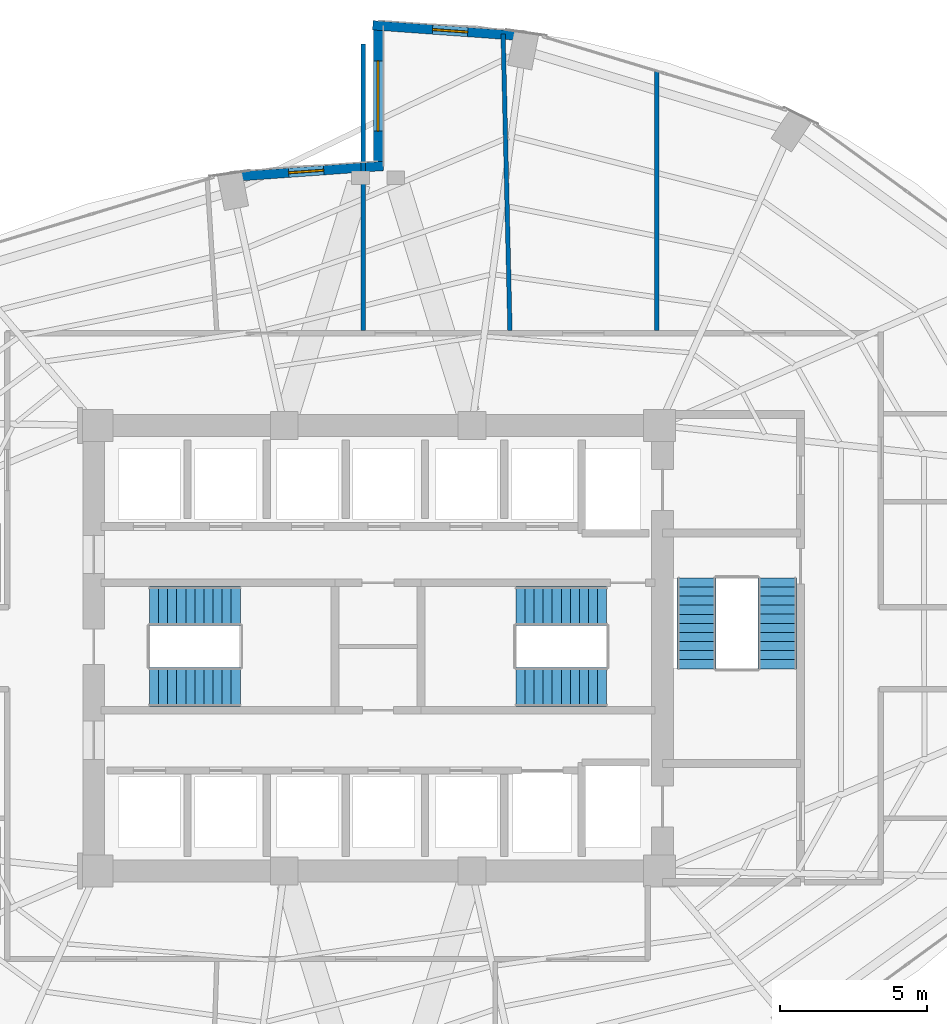
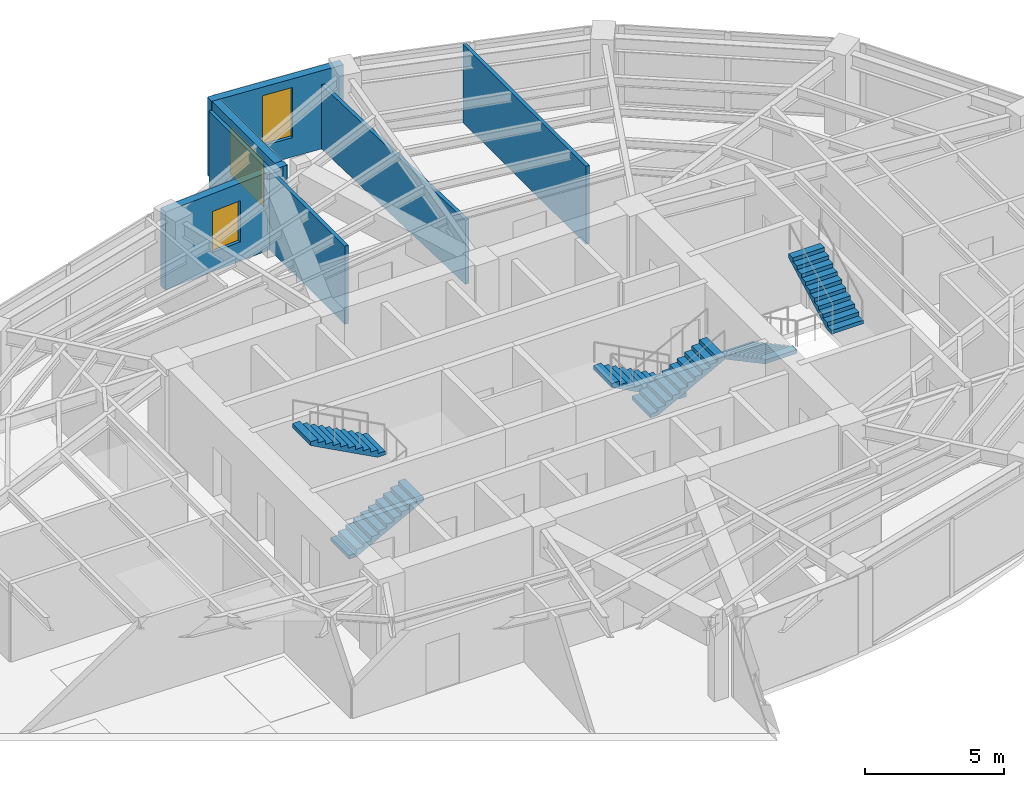
# One storey, part 21 of 23: 6 stair flights, 6 walls, 3 windows, 3 openings, 3 elements without a shape of their own.
"""IFC4 building model written with IfcOpenShell, lengths in metres."""

from ifc_helpers import new_model, si_unit, direction, frame, frame_2d, origin, place, context, subcontext, project, spatial, polyline, rectangle, outline, extrude, material, layer, layer_set, type_object, element, fill, aggregate, save


model = new_model("IFC4")

# Units and contexts
model_context = context("Model", 3, precision=1e-05, world=origin(), true_north=direction((0.0, 1.0)))
body_context = subcontext(model_context, "Body", "Model", "MODEL_VIEW")
ifc_project = project(units=[si_unit("LENGTHUNIT", "METRE"), si_unit("AREAUNIT", "SQUARE_METRE"), si_unit("VOLUMEUNIT", "CUBIC_METRE"), si_unit("PLANEANGLEUNIT", "RADIAN"), si_unit("MASSUNIT", "GRAM", prefix="KILO")], contexts=[model_context])

# Site, building, storey
site_placement = place(None, origin())
site = spatial("IfcSite", under=ifc_project, at=site_placement, CompositionType="ELEMENT")
building_placement = place(site_placement, origin())
building = spatial("IfcBuilding", under=site, at=building_placement, Name="Lazwardi Medical Tower", CompositionType="ELEMENT")
storey_placement = place(building_placement, frame((0.0, 0.0, 107.280029296875)))
storey = spatial("IfcBuildingStorey", under=building, at=storey_placement, Name="L27", CompositionType="ELEMENT", Elevation=107.280029296875)

# Wall, opening, window
ifc_material_1 = material(Name="Precast concrete C45/55", Category="concrete")
ifc_layer_1 = layer(ifc_material_1, 0.320068359375)
ifc_layer_set_1 = layer_set([ifc_layer_1], Name="Precast concrete C45/55")
wall_type_1 = type_object("IfcWallType", Name="WL-IWAN-320", PredefinedType="SOLIDWALL", material=ifc_layer_set_1)
wall_1_placement = place(storey_placement, frame((41.091064453125, 48.87451171875, 0.0), z_axis=(0.0, 0.0, 1.0), x_axis=(-0.997432364291, 0.071614793619, 0.0)))
wall_1 = element("IfcWall", 1, at=wall_1_placement, inside=storey, type_object=wall_type_1, Name="L27 Iwan Portal Return Wall NE_ret", PredefinedType="SOLIDWALL", context=body_context, shape_type="SweptSolid", body=[
    extrude(rectangle(XDim=5.2841796875, YDim=0.320068359375, at=frame_2d((2.64208984375, 0.0))), origin(), (0.0, 0.0, 1.0), 3.427978515625),
])
opening_1_placement = place(wall_1_placement, frame((2.0419921875, 0.0, 0.85009765625)))
opening_1 = element("IfcOpeningElement", 2, at=opening_1_placement, cuts=wall_1, Name="Opening WN-01", PredefinedType="OPENING", context=body_context, shape_type="SweptSolid", body=[
    extrude(rectangle(XDim=1.199951171875, YDim=2.199951171875, at=frame_2d((0.60009765625, 1.10009765625))), frame((0.0, 0.169921875, 0.0), z_axis=(0.0, -1.0, 0.0), x_axis=(1.0, 0.0, 0.0)), (0.0, 0.0, 1.0), 0.340087890625),
])
ifc_material_2 = material(Name="Low-e bronze solar control double glazing", Category="glass")
window_type_1 = type_object("IfcWindowType", Name="WIN-IW-1200", PartitioningType="SINGLE_PANEL", PredefinedType="WINDOW", material=ifc_material_2)
window_1_placement = place(opening_1_placement, origin())
window_1 = element("IfcWindow", 3, at=window_1_placement, inside=storey, type_object=window_type_1, Name="L27 Iwan Slot Window NE_ret", OverallHeight=2.199951171875, OverallWidth=1.199951171875, PartitioningType="SINGLE_PANEL", PredefinedType="WINDOW", context=body_context, shape_type="SweptSolid", body=[
    extrude(rectangle(XDim=1.199951171875, YDim=2.199951171875, at=frame_2d((0.60009765625, 1.10009765625))), frame((0.0, 0.030029296875, 0.0), z_axis=(0.0, -1.0, 0.0), x_axis=(1.0, 0.0, 0.0)), (0.0, 0.0, 1.0), 0.06005859375),
])
fill(opening_1, window_1)

wall_2_placement = place(storey_placement, frame((36.178955078125, 44.452880859375, 0.0), z_axis=(0.0, 0.0, 1.0), x_axis=(-0.997431890304, -0.071621394884, 0.0)))
wall_2 = element("IfcWall", 4, at=wall_2_placement, inside=storey, type_object=wall_type_1, Name="L27 Iwan Portal Return Wall NW_ret", PredefinedType="SOLIDWALL", context=body_context, shape_type="SweptSolid", body=[
    extrude(rectangle(XDim=5.28369140625, YDim=0.320068359375, at=frame_2d((2.641845703125, 0.0))), origin(), (0.0, 0.0, 1.0), 3.427978515625),
])
opening_2_placement = place(wall_2_placement, frame((2.041748046875, 0.0, 0.85009765625)))
opening_2 = element("IfcOpeningElement", 5, at=opening_2_placement, cuts=wall_2, Name="Opening WN-04", PredefinedType="OPENING", context=body_context, shape_type="SweptSolid", body=[
    extrude(rectangle(XDim=1.199951171875, YDim=1.800048828125, at=frame_2d((0.60009765625, 0.89990234375))), frame((0.0, 0.169921875, 0.0), z_axis=(0.0, -1.0, 0.0), x_axis=(1.0, 0.0, 0.0)), (0.0, 0.0, 1.0), 0.340087890625),
])
window_type_2 = type_object("IfcWindowType", Name="WIN-DRUM-1200", PartitioningType="SINGLE_PANEL", PredefinedType="WINDOW", material=ifc_material_2)
window_2_placement = place(opening_2_placement, origin())
window_2 = element("IfcWindow", 6, at=window_2_placement, inside=storey, type_object=window_type_2, Name="L27 Iwan Slot Window NW_ret", OverallHeight=1.800048828125, OverallWidth=1.199951171875, PartitioningType="SINGLE_PANEL", PredefinedType="WINDOW", context=body_context, shape_type="SweptSolid", body=[
    extrude(rectangle(XDim=1.199951171875, YDim=1.800048828125, at=frame_2d((0.60009765625, 0.89990234375))), frame((0.0, 0.030029296875, 0.0), z_axis=(0.0, -1.0, 0.0), x_axis=(1.0, 0.0, 0.0)), (0.0, 0.0, 1.0), 0.06005859375),
])
fill(opening_2, window_2)

wall_3_placement = place(storey_placement, frame((36.0, 49.39990234375, 0.0), z_axis=(0.0, 0.0, 1.0), x_axis=(0.0, -1.0, 0.0)))
wall_3 = element("IfcWall", 7, at=wall_3_placement, inside=storey, type_object=wall_type_1, Name="L27 Turquoise Tilework Iwan Seam Wall N_seam", PredefinedType="SOLIDWALL", context=body_context, shape_type="SweptSolid", body=[
    extrude(rectangle(XDim=5.119873046875, YDim=0.320068359375, at=frame_2d((2.56005859375, 0.0))), origin(), (0.0, 0.0, 1.0), 3.427978515625),
])
opening_3_placement = place(wall_3_placement, frame((1.360107421875, 0.0, 0.840087890625)))
opening_3 = element("IfcOpeningElement", 8, at=opening_3_placement, cuts=wall_3, Name="Opening WN-02", PredefinedType="OPENING", context=body_context, shape_type="SweptSolid", body=[
    extrude(rectangle(XDim=2.39990234375, YDim=2.0400390625, at=frame_2d((1.199951171875, 1.02001953125))), frame((0.0, 0.169921875, 0.0), z_axis=(0.0, -1.0, 0.0), x_axis=(1.0, 0.0, 0.0)), (0.0, 0.0, 1.0), 0.340087890625),
])
window_type_3 = type_object("IfcWindowType", Name="WIN-IW-2400", PartitioningType="SINGLE_PANEL", PredefinedType="WINDOW", material=ifc_material_2)
window_3_placement = place(opening_3_placement, origin())
window_3 = element("IfcWindow", 9, at=window_3_placement, inside=storey, type_object=window_type_3, Name="L27 Iwan Seam Window N_seam", OverallHeight=2.0400390625, OverallWidth=2.39990234375, PartitioningType="SINGLE_PANEL", PredefinedType="WINDOW", context=body_context, shape_type="SweptSolid", body=[
    extrude(rectangle(XDim=2.39990234375, YDim=2.0400390625, at=frame_2d((1.199951171875, 1.02001953125))), frame((0.0, 0.030029296875, 0.0), z_axis=(0.0, -1.0, 0.0), x_axis=(1.0, 0.0, 0.0)), (0.0, 0.0, 1.0), 0.06005859375),
])
fill(opening_3, window_3)

# Walls
ifc_material_3 = material(Name="Acoustic gypsum board partition")
ifc_layer_2 = layer(ifc_material_3, 0.14990234375)
ifc_layer_set_2 = layer_set([ifc_layer_2], Name="Acoustic gypsum board partition")
wall_type_2 = type_object("IfcWallType", Name="WL-WRD-150", PredefinedType="PARTITIONING", material=ifc_layer_set_2)
wall_4_placement = place(storey_placement, frame((35.5, 38.840087890625, 0.0), z_axis=(0.0, 0.0, 1.0), x_axis=(0.0, 1.0, 0.0)))
element("IfcWall", 10, at=wall_4_placement, inside=storey, type_object=wall_type_2, Name="L27 Room partition 6", PredefinedType="PARTITIONING", context=body_context, shape_type="SweptSolid", body=[
    extrude(rectangle(XDim=9.77197265625, YDim=0.14990234375, at=frame_2d((4.885986328125, 0.0))), origin(), (0.0, 0.0, 1.0), 3.427978515625),
])
wall_5_placement = place(storey_placement, frame((40.498291015625, 38.840087890625, 0.0), z_axis=(0.0, 0.0, 1.0), x_axis=(-0.023053353508, 0.999734236131, 0.0)))
element("IfcWall", 11, at=wall_5_placement, inside=storey, type_object=wall_type_2, Name="L27 Room partition 7", PredefinedType="PARTITIONING", context=body_context, shape_type="SweptSolid", body=[
    extrude(rectangle(XDim=10.124267578125, YDim=0.14990234375, at=frame_2d((5.06201171875, 0.0))), origin(), (0.0, 0.0, 1.0), 2.81298828125),
])
wall_6_placement = place(storey_placement, frame((45.5, 38.840087890625, 0.0), z_axis=(0.0, 0.0, 1.0), x_axis=(0.0, 1.0, 0.0)))
element("IfcWall", 12, at=wall_6_placement, inside=storey, type_object=wall_type_2, Name="L27 Room partition 8", PredefinedType="PARTITIONING", context=body_context, shape_type="SweptSolid", body=[
    extrude(rectangle(XDim=8.84033203125, YDim=0.14990234375, at=frame_2d((4.420166015625, 0.0))), origin(), (0.0, 0.0, 1.0), 3.427978515625),
])

# Stair, stair flights
ifc_material_4 = material(Name="Concrete C45/55", Category="concrete")
stair_type = type_object("IfcStairType", Name="STR-WRD", PredefinedType="HALF_TURN_STAIR", material=ifc_material_4)
stair_1_placement = place(storey_placement, origin())
stair_1 = element("IfcStair", 13, at=stair_1_placement, inside=storey, type_object=stair_type, Name="L27 Protected Exit Stair ST1", PredefinedType="HALF_TURN_STAIR")
stair_flight_type = type_object("IfcStairFlightType", Name="FLT-WRD", PredefinedType="STRAIGHT", material=ifc_material_4)
stair_flight_1_placement = place(storey_placement, frame((28.199951171875, 26.679931640625, 0.0), z_axis=(0.0, 0.0, 1.0), x_axis=(1.0, 0.0, 0.0)))
stair_flight_1 = element("IfcStairFlight", 14, at=stair_flight_1_placement, type_object=stair_flight_type, Name="ST1 flight 1", NumberOfRisers=11, NumberOfTreads=10, PredefinedType="STRAIGHT", RiserHeight=0.165818182, TreadLength=0.31, context=body_context, shape_type="SweptSolid", body=[
    extrude(outline(polyline([(0.0, 0.0), (0.0, 0.165771484375), (0.31005859375, 0.165771484375), (0.31005859375, 0.33154296875), (0.6201171875, 0.33154296875), (0.6201171875, 0.49755859375), (0.929931640625, 0.49755859375), (0.929931640625, 0.663330078125), (1.239990234375, 0.663330078125), (1.239990234375, 0.8291015625), (1.550048828125, 0.8291015625), (1.550048828125, 0.994873046875), (1.860107421875, 0.994873046875), (1.860107421875, 1.16064453125), (2.169921875, 1.16064453125), (2.169921875, 1.32666015625), (2.47998046875, 1.32666015625), (2.47998046875, 1.492431640625), (2.7900390625, 1.492431640625), (2.7900390625, 1.658203125), (3.10009765625, 1.658203125), (3.10009765625, 1.823974609375), (3.10009765625, 1.48828125), (0.31787109375, 0.0), (0.0, 0.0)])), frame((0.0, 0.66015625, 0.0), z_axis=(0.0, -1.0, 0.0), x_axis=(1.0, 0.0, 0.0)), (0.0, 0.0, 1.0), 1.320068359375),
])
stair_flight_2_placement = place(storey_placement, frame((31.300048828125, 29.43994140625, 1.823974609375), z_axis=(0.0, 0.0, 1.0), x_axis=(-1.0, 0.0, 0.0)))
stair_flight_2 = element("IfcStairFlight", 15, at=stair_flight_2_placement, type_object=stair_flight_type, Name="ST1 flight 2", NumberOfRisers=11, NumberOfTreads=10, PredefinedType="STRAIGHT", RiserHeight=0.165818182, TreadLength=0.31, context=body_context, shape_type="SweptSolid", body=[
    extrude(outline(polyline([(0.0, 0.0), (0.0, 0.165771484375), (0.31005859375, 0.165771484375), (0.31005859375, 0.33154296875), (0.6201171875, 0.33154296875), (0.6201171875, 0.49755859375), (0.929931640625, 0.49755859375), (0.929931640625, 0.663330078125), (1.239990234375, 0.663330078125), (1.239990234375, 0.8291015625), (1.550048828125, 0.8291015625), (1.550048828125, 0.994873046875), (1.860107421875, 0.994873046875), (1.860107421875, 1.16064453125), (2.169921875, 1.16064453125), (2.169921875, 1.32666015625), (2.47998046875, 1.32666015625), (2.47998046875, 1.492431640625), (2.7900390625, 1.492431640625), (2.7900390625, 1.658203125), (3.10009765625, 1.658203125), (3.10009765625, 1.823974609375), (3.10009765625, 1.48828125), (0.31787109375, 0.0), (0.0, 0.0)])), frame((0.0, 0.66015625, 0.0), z_axis=(0.0, -1.0, 0.0), x_axis=(1.0, 0.0, 0.0)), (0.0, 0.0, 1.0), 1.320068359375),
])
aggregate(stair_1, [stair_flight_1, stair_flight_2])

stair_2_placement = place(storey_placement, origin())
stair_2 = element("IfcStair", 16, at=stair_2_placement, inside=storey, type_object=stair_type, Name="L27 Protected Exit Stair ST2", PredefinedType="HALF_TURN_STAIR")
stair_flight_3_placement = place(storey_placement, frame((43.800048828125, 29.43994140625, 0.0), z_axis=(0.0, 0.0, 1.0), x_axis=(-1.0, 0.0, 0.0)))
stair_flight_3 = element("IfcStairFlight", 17, at=stair_flight_3_placement, type_object=stair_flight_type, Name="ST2 flight 1", NumberOfRisers=11, NumberOfTreads=10, PredefinedType="STRAIGHT", RiserHeight=0.165818182, TreadLength=0.31, context=body_context, shape_type="SweptSolid", body=[
    extrude(outline(polyline([(0.0, 0.0), (0.0, 0.165771484375), (0.31005859375, 0.165771484375), (0.31005859375, 0.33154296875), (0.6201171875, 0.33154296875), (0.6201171875, 0.49755859375), (0.929931640625, 0.49755859375), (0.929931640625, 0.663330078125), (1.239990234375, 0.663330078125), (1.239990234375, 0.8291015625), (1.550048828125, 0.8291015625), (1.550048828125, 0.994873046875), (1.860107421875, 0.994873046875), (1.860107421875, 1.16064453125), (2.169921875, 1.16064453125), (2.169921875, 1.32666015625), (2.47998046875, 1.32666015625), (2.47998046875, 1.492431640625), (2.7900390625, 1.492431640625), (2.7900390625, 1.658203125), (3.10009765625, 1.658203125), (3.10009765625, 1.823974609375), (3.10009765625, 1.48828125), (0.31787109375, 0.0), (0.0, 0.0)])), frame((0.0, 0.66015625, 0.0), z_axis=(0.0, -1.0, 0.0), x_axis=(1.0, 0.0, 0.0)), (0.0, 0.0, 1.0), 1.320068359375),
])
stair_flight_4_placement = place(storey_placement, frame((40.699951171875, 26.679931640625, 1.823974609375), z_axis=(0.0, 0.0, 1.0), x_axis=(1.0, 0.0, 0.0)))
stair_flight_4 = element("IfcStairFlight", 18, at=stair_flight_4_placement, type_object=stair_flight_type, Name="ST2 flight 2", NumberOfRisers=11, NumberOfTreads=10, PredefinedType="STRAIGHT", RiserHeight=0.165818182, TreadLength=0.31, context=body_context, shape_type="SweptSolid", body=[
    extrude(outline(polyline([(0.0, 0.0), (0.0, 0.165771484375), (0.31005859375, 0.165771484375), (0.31005859375, 0.33154296875), (0.6201171875, 0.33154296875), (0.6201171875, 0.49755859375), (0.929931640625, 0.49755859375), (0.929931640625, 0.663330078125), (1.239990234375, 0.663330078125), (1.239990234375, 0.8291015625), (1.550048828125, 0.8291015625), (1.550048828125, 0.994873046875), (1.860107421875, 0.994873046875), (1.860107421875, 1.16064453125), (2.169921875, 1.16064453125), (2.169921875, 1.32666015625), (2.47998046875, 1.32666015625), (2.47998046875, 1.492431640625), (2.7900390625, 1.492431640625), (2.7900390625, 1.658203125), (3.10009765625, 1.658203125), (3.10009765625, 1.823974609375), (3.10009765625, 1.48828125), (0.31787109375, 0.0), (0.0, 0.0)])), frame((0.0, 0.66015625, 0.0), z_axis=(0.0, -1.0, 0.0), x_axis=(1.0, 0.0, 0.0)), (0.0, 0.0, 1.0), 1.320068359375),
])
aggregate(stair_2, [stair_flight_3, stair_flight_4])

stair_3_placement = place(storey_placement, origin())
stair_3 = element("IfcStair", 19, at=stair_3_placement, inside=storey, type_object=stair_type, Name="L27 Protected Exit Stair ST3", PredefinedType="HALF_TURN_STAIR")
stair_flight_5_placement = place(storey_placement, frame((46.860107421875, 30.39990234375, 0.0), z_axis=(0.0, 0.0, 1.0), x_axis=(0.0, -1.0, 0.0)))
stair_flight_5 = element("IfcStairFlight", 20, at=stair_flight_5_placement, type_object=stair_flight_type, Name="ST3 flight 1", NumberOfRisers=11, NumberOfTreads=10, PredefinedType="STRAIGHT", RiserHeight=0.165818182, TreadLength=0.31, context=body_context, shape_type="SweptSolid", body=[
    extrude(outline(polyline([(0.0, 0.0), (0.0, 0.165771484375), (0.31005859375, 0.165771484375), (0.31005859375, 0.33154296875), (0.6201171875, 0.33154296875), (0.6201171875, 0.49755859375), (0.929931640625, 0.49755859375), (0.929931640625, 0.663330078125), (1.239990234375, 0.663330078125), (1.239990234375, 0.8291015625), (1.550048828125, 0.8291015625), (1.550048828125, 0.994873046875), (1.860107421875, 0.994873046875), (1.860107421875, 1.16064453125), (2.169921875, 1.16064453125), (2.169921875, 1.32666015625), (2.47998046875, 1.32666015625), (2.47998046875, 1.492431640625), (2.7900390625, 1.492431640625), (2.7900390625, 1.658203125), (3.10009765625, 1.658203125), (3.10009765625, 1.823974609375), (3.10009765625, 1.48828125), (0.31787109375, 0.0), (0.0, 0.0)])), frame((0.0, 0.66015625, 0.0), z_axis=(0.0, -1.0, 0.0), x_axis=(1.0, 0.0, 0.0)), (0.0, 0.0, 1.0), 1.320068359375),
])
stair_flight_6_placement = place(storey_placement, frame((49.6201171875, 27.300048828125, 1.823974609375), z_axis=(0.0, 0.0, 1.0), x_axis=(0.0, 1.0, 0.0)))
stair_flight_6 = element("IfcStairFlight", 21, at=stair_flight_6_placement, type_object=stair_flight_type, Name="ST3 flight 2", NumberOfRisers=11, NumberOfTreads=10, PredefinedType="STRAIGHT", RiserHeight=0.165818182, TreadLength=0.31, context=body_context, shape_type="SweptSolid", body=[
    extrude(outline(polyline([(0.0, 0.0), (0.0, 0.165771484375), (0.31005859375, 0.165771484375), (0.31005859375, 0.33154296875), (0.6201171875, 0.33154296875), (0.6201171875, 0.49755859375), (0.929931640625, 0.49755859375), (0.929931640625, 0.663330078125), (1.239990234375, 0.663330078125), (1.239990234375, 0.8291015625), (1.550048828125, 0.8291015625), (1.550048828125, 0.994873046875), (1.860107421875, 0.994873046875), (1.860107421875, 1.16064453125), (2.169921875, 1.16064453125), (2.169921875, 1.32666015625), (2.47998046875, 1.32666015625), (2.47998046875, 1.492431640625), (2.7900390625, 1.492431640625), (2.7900390625, 1.658203125), (3.10009765625, 1.658203125), (3.10009765625, 1.823974609375), (3.10009765625, 1.48828125), (0.31787109375, 0.0), (0.0, 0.0)])), frame((0.0, 0.66015625, 0.0), z_axis=(0.0, -1.0, 0.0), x_axis=(1.0, 0.0, 0.0)), (0.0, 0.0, 1.0), 1.320068359375),
])
aggregate(stair_3, [stair_flight_5, stair_flight_6])

save(model, "model.ifc")
